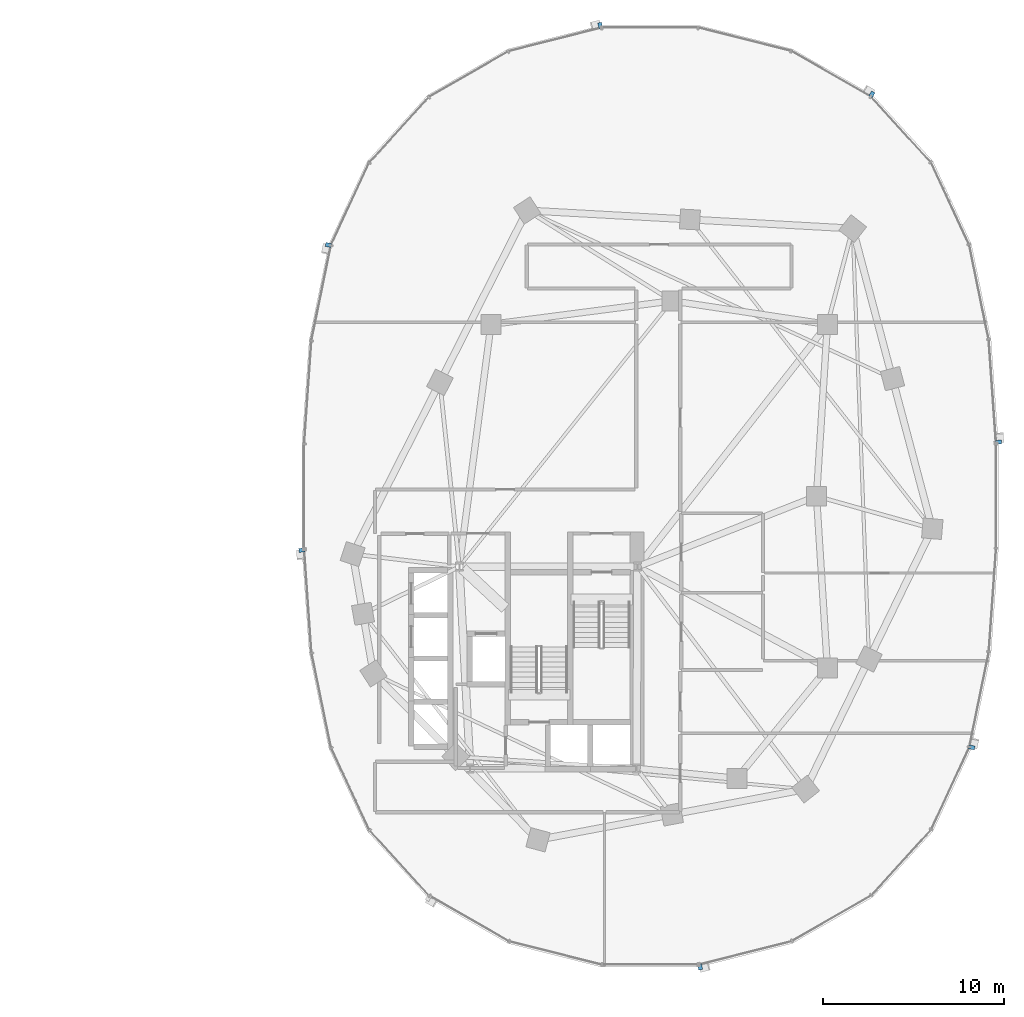
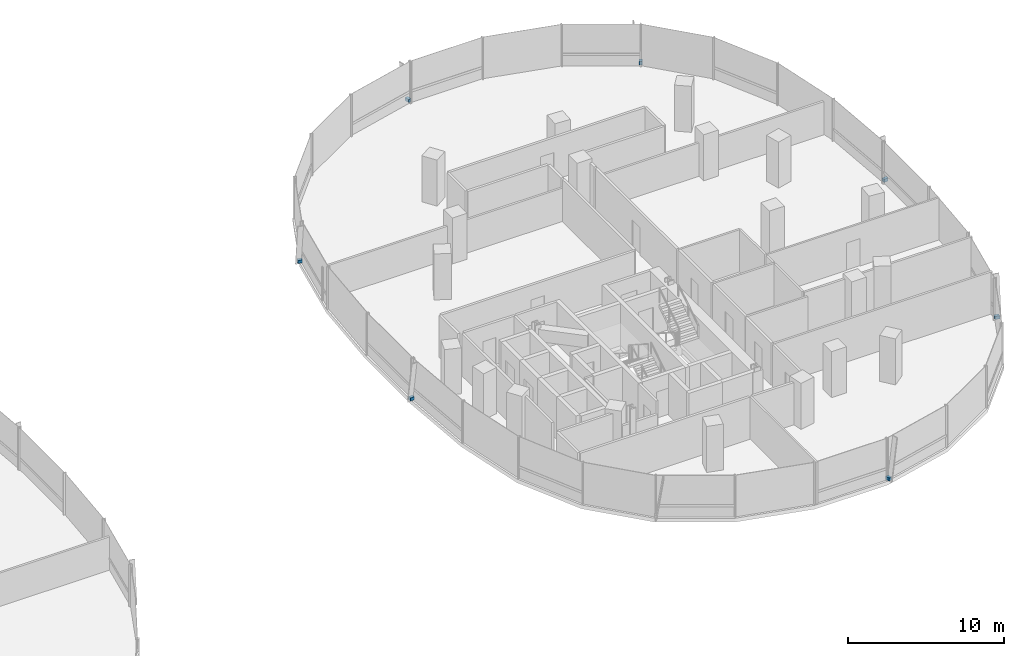
# One storey, part 16 of 21: 7 discrete accessories.
"""IFC4 building model written with IfcOpenShell, lengths in metres."""

from ifc_helpers import new_model, si_unit, direction, frame, origin, origin_2d, place, context, subcontext, project, spatial, rectangle, extrude, material, type_object, element, save


model = new_model("IFC4")

# Units and contexts
model_context = context("Model", 3, precision=1e-05, world=origin(), true_north=direction((0.0, 1.0)))
body_context = subcontext(model_context, "Body", "Model", "MODEL_VIEW")
ifc_project = project(units=[si_unit("LENGTHUNIT", "METRE"), si_unit("AREAUNIT", "SQUARE_METRE"), si_unit("VOLUMEUNIT", "CUBIC_METRE"), si_unit("PLANEANGLEUNIT", "RADIAN"), si_unit("MASSUNIT", "GRAM", prefix="KILO"), si_unit("THERMODYNAMICTEMPERATUREUNIT", "KELVIN"), si_unit("POWERUNIT", "WATT")], contexts=[model_context])

# Site, building, storey
site_placement = place(None, origin())
site = spatial("IfcSite", under=ifc_project, at=site_placement, CompositionType="ELEMENT")
building_placement = place(site_placement, origin())
building = spatial("IfcBuilding", under=site, at=building_placement, Name="Cundina Bronze Exchange", CompositionType="ELEMENT")
storey_placement = place(building_placement, frame((0.0, 0.0, 96.199951171875)))
storey = spatial("IfcBuildingStorey", under=building, at=storey_placement, Name="L24", CompositionType="ELEMENT", Elevation=96.199951171875)

# Discrete accessories
ifc_material = material(Name="Anodised Bronze Aluminium 6063-T6", Category="aluminium")
discrete_accessory_type = type_object("IfcDiscreteAccessoryType", Name="ACC-BRK-FIN", PredefinedType="BRACKET", material=ifc_material)
for number, where, z_axis, x_axis, name in (
    (1, (51.264404296875, 2.986083984375, 0.10009765625), (0.0, 0.0, 1.0), (-0.070278787473, 0.997527389113, 0.0), "L24 Fin Support Bracket 1"),
    (2, (44.259521484375, 22.21875, 0.10009765625), (0.0, 0.0, 1.0), (-0.867105478933, 0.498124571171, 0.0), "L24 Fin Support Bracket 5"),
    (3, (29.23974609375, 26.03173828125, 0.10009765625), (0.0, 0.0, 1.0), (-0.969488149345, -0.245138182011, 0.0), "L24 Fin Support Bracket 1"),
    (4, (14.211669921875, 13.8896484375, 0.10009765625), (0.0, 0.0, 1.0), (-0.201419845156, -0.979505000486, 0.0), "L24 Fin Support Bracket 5"),
    (5, (12.735595703125, -2.986083984375, 0.10009765625), (0.0, 0.0, 1.0), (0.070278787473, -0.997527389113, 0.0), "L24 Fin Support Bracket 1"),
    (6, (34.76025390625, -26.03173828125, 0.10009765625), (0.0, 0.0, 1.0), (0.969488149345, 0.245138182011, 0.0), "L24 Fin Support Bracket 1"),
    (7, (49.788330078125, -13.8896484375, 0.10009765625), (0.0, 0.0, 1.0), (0.201419845156, 0.979505000486, 0.0), "L24 Fin Support Bracket 5"),
):
    element("IfcDiscreteAccessory", number, at=place(storey_placement, frame(where, z_axis=z_axis, x_axis=x_axis)), inside=storey, type_object=discrete_accessory_type, Name=name, PredefinedType="BRACKET", context=body_context, shape_type="SweptSolid", body=[
        extrude(rectangle(XDim=0.219970703125, YDim=0.320068359375, at=origin_2d()), origin(), (0.0, 0.0, 1.0), 0.239990234375),
    ])

save(model, "model.ifc")
